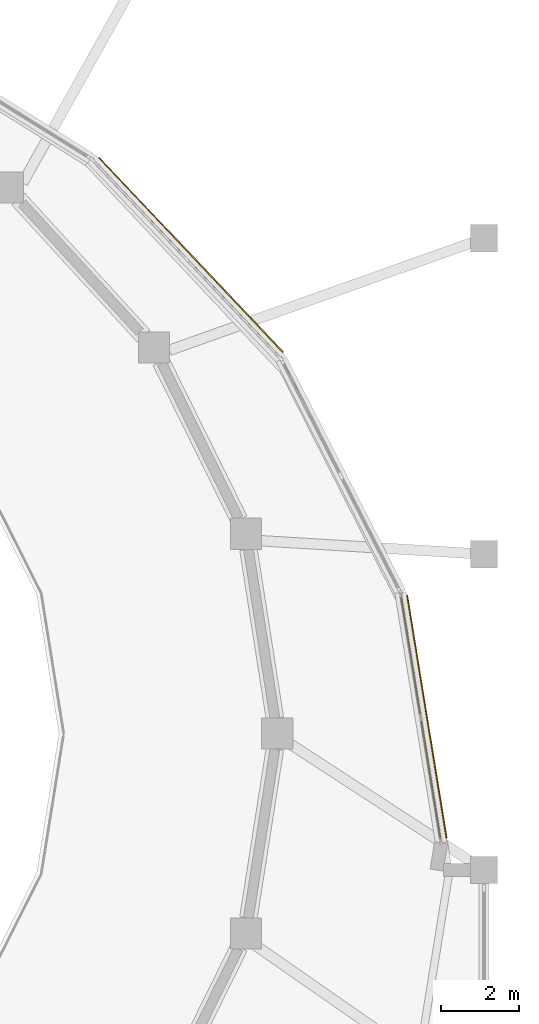
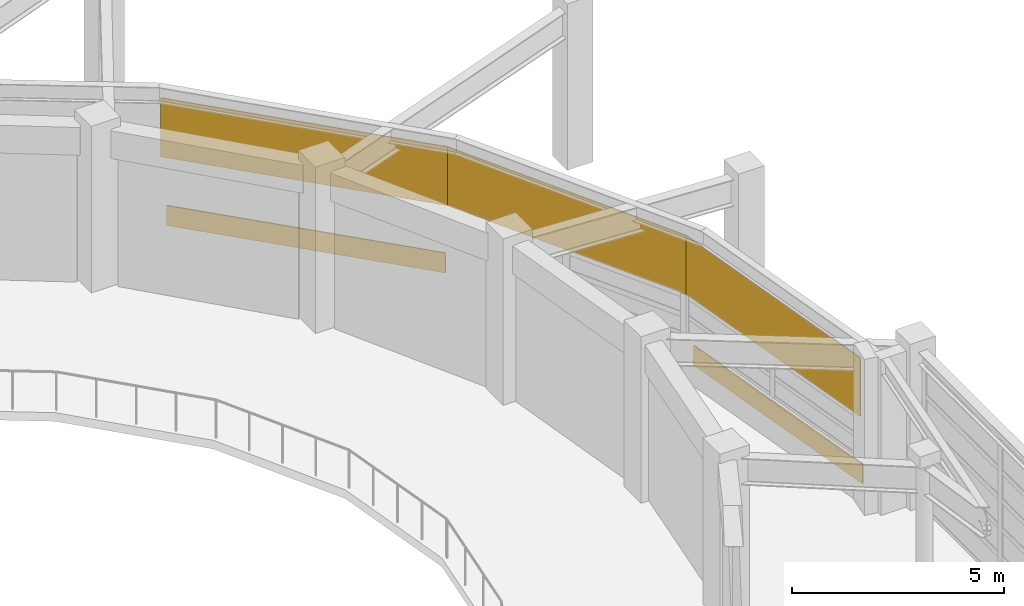
# One storey, part 52 of 58: 5 coverings.
"""IFC4 building model written with IfcOpenShell, lengths in metres."""

from ifc_helpers import new_model, si_unit, direction, frame, origin, origin_2d, place, context, subcontext, project, spatial, rectangle, extrude, material, layer, layer_set, type_object, element, save


model = new_model("IFC4")

# Units and contexts
model_context = context("Model", 3, precision=1e-05, world=origin(), true_north=direction((0.0, 1.0)))
body_context = subcontext(model_context, "Body", "Model", "MODEL_VIEW")
ifc_project = project(units=[si_unit("LENGTHUNIT", "METRE"), si_unit("AREAUNIT", "SQUARE_METRE"), si_unit("VOLUMEUNIT", "CUBIC_METRE"), si_unit("PLANEANGLEUNIT", "RADIAN"), si_unit("MASSUNIT", "GRAM", prefix="KILO")], contexts=[model_context])

# Site, building, storey
site_placement = place(None, origin())
site = spatial("IfcSite", under=ifc_project, at=site_placement, CompositionType="ELEMENT")
building_placement = place(site_placement, origin())
building = spatial("IfcBuilding", under=site, at=building_placement, Name="Parian Resonance Hall", CompositionType="ELEMENT")
storey_placement = place(building_placement, frame((0.0, 0.0, 10.199951171875)))
storey = spatial("IfcBuildingStorey", under=building, at=storey_placement, Name="L02", CompositionType="ELEMENT", Elevation=10.199951171875)

# Coverings
ifc_material = material(Name="Polychrome trencadis ceramic mosaic cladding")
ifc_layer = layer(ifc_material, 0.030029296875)
ifc_layer_set = layer_set([ifc_layer], Name="Polychrome trencadis ceramic mosaic cladding")
covering_type = type_object("IfcCoveringType", Name="COV-MOSAIC-CLAD", PredefinedType="CLADDING", material=ifc_layer_set)
covering_1_placement = place(storey_placement, frame((71.435546875, 44.434814453125, 0.28759765625), z_axis=(0.0, 0.0, 1.0), x_axis=(0.160344624182, -0.987061093092, 0.0)))
element("IfcCovering", 1, at=covering_1_placement, inside=storey, type_object=covering_type, Name="Polychrome ceramic mosaic frieze L02-031", PredefinedType="CLADDING", context=body_context, shape_type="SweptSolid", body=[
    extrude(rectangle(XDim=6.302734375, YDim=0.030029296875, at=origin_2d()), origin(), (0.0, 0.0, 1.0), 0.574951171875),
])
covering_2_placement = place(storey_placement, frame((71.278564453125, 44.409423828125, 2.35498046875), z_axis=(0.0, 0.0, 1.0), x_axis=(0.160344624182, -0.987061093092, 0.0)))
element("IfcCovering", 2, at=covering_2_placement, inside=storey, type_object=covering_type, Name="Elliptical R2 upper mosaic frieze cladding 01", PredefinedType="CLADDING", context=body_context, shape_type="SweptSolid", body=[
    extrude(rectangle(XDim=6.502685546875, YDim=0.030029296875, at=origin_2d()), origin(), (0.0, 0.0, 1.0), 1.695068359375),
])
covering_3_placement = place(storey_placement, frame((69.228759765625, 50.609375, 2.35498046875), z_axis=(0.0, 0.0, 1.0), x_axis=(0.455086501111, -0.890447233982, 0.0)))
element("IfcCovering", 3, at=covering_3_placement, inside=storey, type_object=covering_type, Name="Elliptical R2 upper mosaic frieze cladding 02", PredefinedType="CLADDING", context=body_context, shape_type="SweptSolid", body=[
    extrude(rectangle(XDim=6.71728515625, YDim=0.030029296875, at=origin_2d()), origin(), (0.0, 0.0, 1.0), 1.695068359375),
])
covering_4_placement = place(storey_placement, frame((65.384521484375, 56.27734375, 0.28759765625), z_axis=(0.0, 0.0, 1.0), x_axis=(0.687523617478, -0.726162017328, 0.0)))
element("IfcCovering", 4, at=covering_4_placement, inside=storey, type_object=covering_type, Name="Polychrome ceramic mosaic frieze L02-034", PredefinedType="CLADDING", context=body_context, shape_type="SweptSolid", body=[
    extrude(rectangle(XDim=6.873046875, YDim=0.030029296875, at=origin_2d()), origin(), (0.0, 0.0, 1.0), 0.574951171875),
])
covering_5_placement = place(storey_placement, frame((65.26904296875, 56.168212890625, 2.35498046875), z_axis=(0.0, 0.0, 1.0), x_axis=(0.687523617478, -0.726162017328, 0.0)))
element("IfcCovering", 5, at=covering_5_placement, inside=storey, type_object=covering_type, Name="Elliptical R2 upper mosaic frieze cladding 03", PredefinedType="CLADDING", context=body_context, shape_type="SweptSolid", body=[
    extrude(rectangle(XDim=7.072998046875, YDim=0.030029296875, at=origin_2d()), origin(), (0.0, 0.0, 1.0), 1.695068359375),
])

save(model, "model.ifc")
